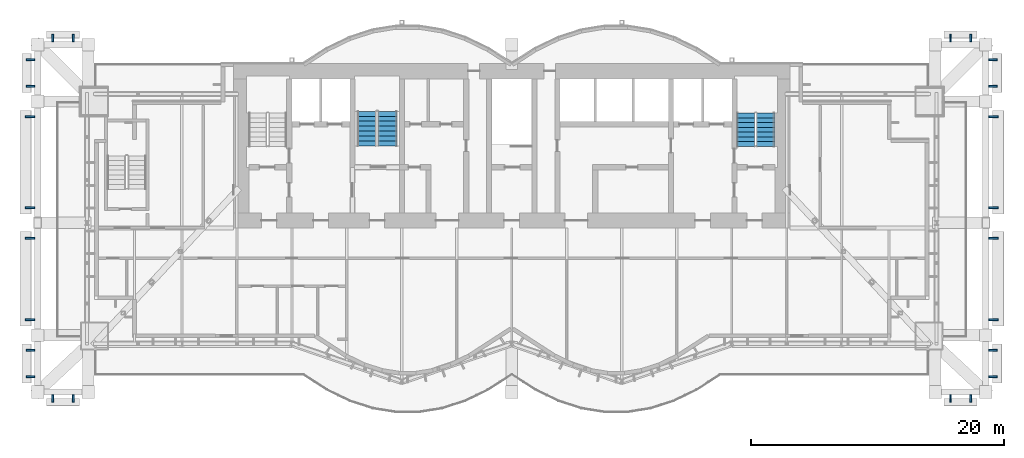
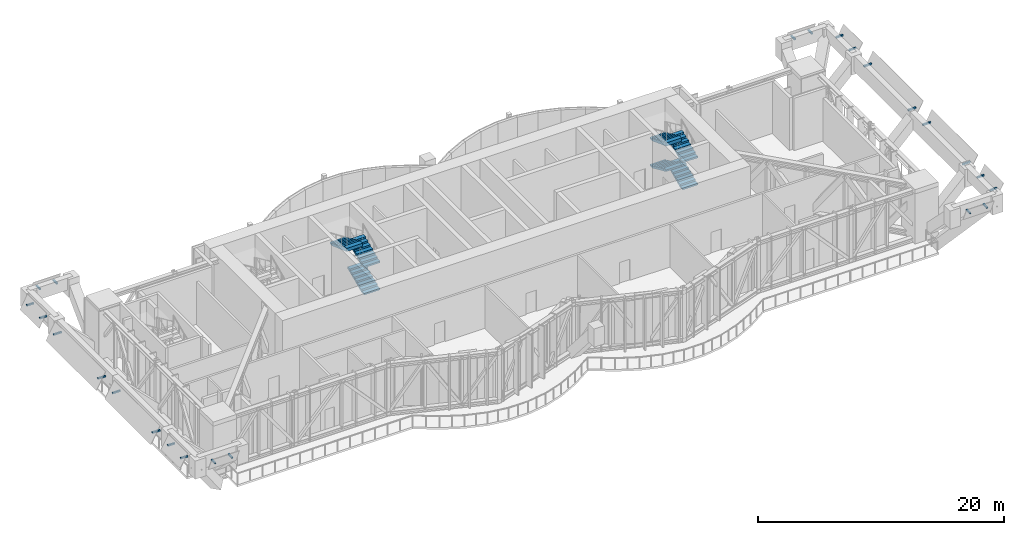
# One storey, part 17 of 20: 24 discrete accessories, 7 stair flights, 2 elements without a shape of their own.
"""IFC4 building model written with IfcOpenShell, lengths in metres."""

from ifc_helpers import new_model, si_unit, direction, frame, origin, origin_2d, place, context, subcontext, project, spatial, polyline, rectangle, outline, extrude, material, type_object, element, aggregate, save


model = new_model("IFC4")

# Units and contexts
model_context = context("Model", 3, precision=1e-05, world=origin(), true_north=direction((0.0, 1.0)))
body_context = subcontext(model_context, "Body", "Model", "MODEL_VIEW")
ifc_project = project(units=[si_unit("LENGTHUNIT", "METRE"), si_unit("AREAUNIT", "SQUARE_METRE"), si_unit("VOLUMEUNIT", "CUBIC_METRE"), si_unit("PLANEANGLEUNIT", "RADIAN"), si_unit("MASSUNIT", "GRAM", prefix="KILO")], contexts=[model_context])

# Site, building, storey
site_placement = place(None, origin())
site = spatial("IfcSite", under=ifc_project, at=site_placement, CompositionType="ELEMENT")
building_placement = place(site_placement, origin())
building = spatial("IfcBuilding", under=site, at=building_placement, Name="Bicima Exchange Tower", CompositionType="ELEMENT")
storey_placement = place(building_placement, frame((0.0, 0.0, 342.5)))
storey = spatial("IfcBuildingStorey", under=building, at=storey_placement, Name="L77", CompositionType="ELEMENT", Elevation=342.5)

# Stair, stair flights
ifc_material_1 = material(Name="Concrete C50/60", Category="concrete")
stair_type_1 = type_object("IfcStairType", Name="Exit stair", PredefinedType="HALF_TURN_STAIR", material=ifc_material_1)
stair_1_placement = place(storey_placement, origin())
stair_1 = element("IfcStair", 1, at=stair_1_placement, inside=storey, type_object=stair_type_1, Name="L77 East exit stair", PredefinedType="HALF_TURN_STAIR")
stair_flight_type_1 = type_object("IfcStairFlightType", Name="Stair flight RC", PredefinedType="STRAIGHT", material=ifc_material_1)
stair_flight_1_placement = place(storey_placement, frame((20.074951171875, -6.550048828125, 0.0), z_axis=(0.0, 0.0, 1.0), x_axis=(0.0, 1.0, 0.0)))
stair_flight_1 = element("IfcStairFlight", 2, at=stair_flight_1_placement, type_object=stair_flight_type_1, Name="ST-E flight 1", NumberOfRisers=8, NumberOfTreads=7, PredefinedType="STRAIGHT", RiserHeight=0.16875, TreadLength=0.375714286, context=body_context, shape_type="SweptSolid", body=[
    extrude(outline(polyline([(0.0, 0.0), (0.0, 0.168701171875), (0.375732421875, 0.168701171875), (0.375732421875, 0.33740234375), (0.75146484375, 0.33740234375), (0.75146484375, 0.50634765625), (1.127197265625, 0.50634765625), (1.127197265625, 0.675048828125), (1.5029296875, 0.675048828125), (1.5029296875, 0.84375), (1.878662109375, 0.84375), (1.878662109375, 1.012451171875), (2.25439453125, 1.012451171875), (2.25439453125, 1.18115234375), (2.6298828125, 1.18115234375), (2.6298828125, 1.35009765625), (2.6298828125, 1.016845703125), (0.365966796875, 0.0), (0.0, 0.0)])), frame((0.0, 0.72509765625, 0.0), z_axis=(0.0, -1.0, 0.0), x_axis=(1.0, 0.0, 0.0)), (0.0, 0.0, 1.0), 1.449951171875),
])
stair_flight_2_placement = place(storey_placement, frame((18.52490234375, -3.919921875, 1.35009765625), z_axis=(0.0, 0.0, 1.0), x_axis=(0.0, -1.0, 0.0)))
stair_flight_2 = element("IfcStairFlight", 3, at=stair_flight_2_placement, type_object=stair_flight_type_1, Name="ST-E flight 2", NumberOfRisers=8, NumberOfTreads=7, PredefinedType="STRAIGHT", RiserHeight=0.16875, TreadLength=0.375714286, context=body_context, shape_type="SweptSolid", body=[
    extrude(outline(polyline([(0.0, 0.0), (0.0, 0.168701171875), (0.375732421875, 0.168701171875), (0.375732421875, 0.33740234375), (0.75146484375, 0.33740234375), (0.75146484375, 0.50634765625), (1.127197265625, 0.50634765625), (1.127197265625, 0.675048828125), (1.5029296875, 0.675048828125), (1.5029296875, 0.84375), (1.878662109375, 0.84375), (1.878662109375, 1.012451171875), (2.25439453125, 1.012451171875), (2.25439453125, 1.18115234375), (2.6298828125, 1.18115234375), (2.6298828125, 1.35009765625), (2.6298828125, 1.016845703125), (0.365966796875, 0.0), (0.0, 0.0)])), frame((0.0, 0.72509765625, 0.0), z_axis=(0.0, -1.0, 0.0), x_axis=(1.0, 0.0, 0.0)), (0.0, 0.0, 1.0), 1.449951171875),
])
stair_flight_3_placement = place(storey_placement, frame((20.074951171875, -6.550048828125, 2.699951171875), z_axis=(0.0, 0.0, 1.0), x_axis=(0.0, 1.0, 0.0)))
stair_flight_3 = element("IfcStairFlight", 4, at=stair_flight_3_placement, type_object=stair_flight_type_1, Name="ST-E flight 3", NumberOfRisers=8, NumberOfTreads=7, PredefinedType="STRAIGHT", RiserHeight=0.16875, TreadLength=0.375714286, context=body_context, shape_type="SweptSolid", body=[
    extrude(outline(polyline([(0.0, 0.0), (0.0, 0.168701171875), (0.375732421875, 0.168701171875), (0.375732421875, 0.33740234375), (0.75146484375, 0.33740234375), (0.75146484375, 0.50634765625), (1.127197265625, 0.50634765625), (1.127197265625, 0.675048828125), (1.5029296875, 0.675048828125), (1.5029296875, 0.84375), (1.878662109375, 0.84375), (1.878662109375, 1.012451171875), (2.25439453125, 1.012451171875), (2.25439453125, 1.18115234375), (2.6298828125, 1.18115234375), (2.6298828125, 1.35009765625), (2.6298828125, 1.016845703125), (0.365966796875, 0.0), (0.0, 0.0)])), frame((0.0, 0.72509765625, 0.0), z_axis=(0.0, -1.0, 0.0), x_axis=(1.0, 0.0, 0.0)), (0.0, 0.0, 1.0), 1.449951171875),
])
stair_flight_4_placement = place(storey_placement, frame((18.52490234375, -3.919921875, 4.050048828125), z_axis=(0.0, 0.0, 1.0), x_axis=(0.0, -1.0, 0.0)))
stair_flight_4 = element("IfcStairFlight", 5, at=stair_flight_4_placement, type_object=stair_flight_type_1, Name="ST-E flight 4", NumberOfRisers=8, NumberOfTreads=7, PredefinedType="STRAIGHT", RiserHeight=0.16875, TreadLength=0.375714286, context=body_context, shape_type="SweptSolid", body=[
    extrude(outline(polyline([(0.0, 0.0), (0.0, 0.168701171875), (0.375732421875, 0.168701171875), (0.375732421875, 0.33740234375), (0.75146484375, 0.33740234375), (0.75146484375, 0.50634765625), (1.127197265625, 0.50634765625), (1.127197265625, 0.675048828125), (1.5029296875, 0.675048828125), (1.5029296875, 0.84375), (1.878662109375, 0.84375), (1.878662109375, 1.012451171875), (2.25439453125, 1.012451171875), (2.25439453125, 1.18115234375), (2.6298828125, 1.18115234375), (2.64501953125, 1.18115234375), (2.64501953125, 0.85498046875), (0.365966796875, 0.0), (0.0, 0.0)])), frame((0.0, 0.72509765625, 0.0), z_axis=(0.0, -1.0, 0.0), x_axis=(1.0, 0.0, 0.0)), (0.0, 0.0, 1.0), 1.449951171875),
])
aggregate(stair_1, [stair_flight_1, stair_flight_2, stair_flight_3, stair_flight_4])

stair_type_2 = type_object("IfcStairType", Name="Exit stair 1500", PredefinedType="HALF_TURN_STAIR", material=ifc_material_1)
stair_2_placement = place(storey_placement, origin())
stair_2 = element("IfcStair", 6, at=stair_2_placement, inside=storey, type_object=stair_type_2, Name="L77 Crown exit stair", PredefinedType="HALF_TURN_STAIR")
stair_flight_type_2 = type_object("IfcStairFlightType", Name="Stair flight RC 1500", PredefinedType="STRAIGHT", material=ifc_material_1)
stair_flight_5_placement = place(storey_placement, frame((-9.824951171875, -6.5, 0.0), z_axis=(0.0, 0.0, 1.0), x_axis=(0.0, 1.0, 0.0)))
stair_flight_5 = element("IfcStairFlight", 7, at=stair_flight_5_placement, type_object=stair_flight_type_2, Name="ST-CR flight 1", NumberOfRisers=8, NumberOfTreads=7, PredefinedType="STRAIGHT", RiserHeight=0.16875, TreadLength=0.388571429, context=body_context, shape_type="SweptSolid", body=[
    extrude(outline(polyline([(0.0, 0.0), (0.0, 0.168701171875), (0.388671875, 0.168701171875), (0.388671875, 0.33740234375), (0.777099609375, 0.33740234375), (0.777099609375, 0.50634765625), (1.165771484375, 0.50634765625), (1.165771484375, 0.675048828125), (1.55419921875, 0.675048828125), (1.55419921875, 0.84375), (1.94287109375, 0.84375), (1.94287109375, 1.012451171875), (2.33154296875, 1.012451171875), (2.33154296875, 1.18115234375), (2.719970703125, 1.18115234375), (2.719970703125, 1.35009765625), (2.719970703125, 1.017822265625), (0.376220703125, 0.0), (0.0, 0.0)])), frame((0.0, 0.75, 0.0), z_axis=(0.0, -1.0, 0.0), x_axis=(1.0, 0.0, 0.0)), (0.0, 0.0, 1.0), 1.5),
])
stair_flight_6_placement = place(storey_placement, frame((-9.824951171875, -6.5, 2.699951171875), z_axis=(0.0, 0.0, 1.0), x_axis=(0.0, 1.0, 0.0)))
stair_flight_6 = element("IfcStairFlight", 8, at=stair_flight_6_placement, type_object=stair_flight_type_2, Name="ST-CR flight 3", NumberOfRisers=8, NumberOfTreads=7, PredefinedType="STRAIGHT", RiserHeight=0.16875, TreadLength=0.388571429, context=body_context, shape_type="SweptSolid", body=[
    extrude(outline(polyline([(0.0, 0.0), (0.0, 0.168701171875), (0.388671875, 0.168701171875), (0.388671875, 0.33740234375), (0.777099609375, 0.33740234375), (0.777099609375, 0.50634765625), (1.165771484375, 0.50634765625), (1.165771484375, 0.675048828125), (1.55419921875, 0.675048828125), (1.55419921875, 0.84375), (1.94287109375, 0.84375), (1.94287109375, 1.012451171875), (2.33154296875, 1.012451171875), (2.33154296875, 1.18115234375), (2.719970703125, 1.18115234375), (2.719970703125, 1.35009765625), (2.719970703125, 1.017822265625), (0.376220703125, 0.0), (0.0, 0.0)])), frame((0.0, 0.75, 0.0), z_axis=(0.0, -1.0, 0.0), x_axis=(1.0, 0.0, 0.0)), (0.0, 0.0, 1.0), 1.5),
])
stair_flight_7_placement = place(storey_placement, frame((-11.47509765625, -3.780029296875, 4.050048828125), z_axis=(0.0, 0.0, 1.0), x_axis=(0.0, -1.0, 0.0)))
stair_flight_7 = element("IfcStairFlight", 9, at=stair_flight_7_placement, type_object=stair_flight_type_2, Name="ST-CR flight 4", NumberOfRisers=8, NumberOfTreads=7, PredefinedType="STRAIGHT", RiserHeight=0.16875, TreadLength=0.388571429, context=body_context, shape_type="SweptSolid", body=[
    extrude(outline(polyline([(0.0, 0.0), (0.0, 0.168701171875), (0.388671875, 0.168701171875), (0.388671875, 0.33740234375), (0.777099609375, 0.33740234375), (0.777099609375, 0.50634765625), (1.165771484375, 0.50634765625), (1.165771484375, 0.675048828125), (1.55419921875, 0.675048828125), (1.55419921875, 0.84375), (1.94287109375, 0.84375), (1.94287109375, 1.012451171875), (2.33154296875, 1.012451171875), (2.33154296875, 1.18115234375), (2.719970703125, 1.18115234375), (2.735107421875, 1.18115234375), (2.735107421875, 0.85546875), (0.376220703125, 0.0), (0.0, 0.0)])), frame((0.0, 0.75, 0.0), z_axis=(0.0, -1.0, 0.0), x_axis=(1.0, 0.0, 0.0)), (0.0, 0.0, 1.0), 1.5),
])
aggregate(stair_2, [stair_flight_5, stair_flight_6, stair_flight_7])

# Discrete accessories
ifc_material_2 = material(Name="Steel ASTM A572 Gr 50", Category="steel")
discrete_accessory_type = type_object("IfcDiscreteAccessoryType", Name="Belt fascia bracket", PredefinedType="BRACKET", material=ifc_material_2)
for number, where, z_axis, x_axis, name in (
    (10, (-36.300048828125, -26.50146484375, 4.525146484375), (0.0, 0.0, 1.0), (1.0, 0.0, 0.0), "Belt fascia bracket"),
    (11, (-34.699951171875, -26.50146484375, 4.525146484375), (0.0, 0.0, 1.0), (1.0, 0.0, 0.0), "Belt fascia bracket"),
    (12, (34.699951171875, -26.50146484375, 4.525146484375), (0.0, 0.0, 1.0), (1.0, 0.0, 0.0), "Belt fascia bracket"),
    (13, (36.300048828125, -26.50146484375, 4.525146484375), (0.0, 0.0, 1.0), (1.0, 0.0, 0.0), "Belt fascia bracket"),
):
    element("IfcDiscreteAccessory", number, at=place(storey_placement, frame(where, z_axis=z_axis, x_axis=x_axis)), inside=storey, type_object=discrete_accessory_type, Name=name, PredefinedType="BRACKET", context=body_context, shape_type="SweptSolid", body=[
        extrude(rectangle(XDim=0.14990234375, YDim=0.59326171875, at=origin_2d()), origin(), (0.0, 0.0, 1.0), 0.14990234375),
    ])
for number, where, z_axis, x_axis, name in (
    (14, (38.065673828125, -24.77490234375, 4.525146484375), (0.0, 0.0, 1.0), (0.0, 1.0, 0.0), "Belt fascia bracket"),
    (15, (38.065673828125, -22.6748046875, 4.525146484375), (0.0, 0.0, 1.0), (0.0, 1.0, 0.0), "Belt fascia bracket"),
):
    element("IfcDiscreteAccessory", number, at=place(storey_placement, frame(where, z_axis=z_axis, x_axis=x_axis)), inside=storey, type_object=discrete_accessory_type, Name=name, PredefinedType="BRACKET", context=body_context, shape_type="SweptSolid", body=[
        extrude(rectangle(XDim=0.14990234375, YDim=0.671142578125, at=origin_2d()), origin(), (0.0, 0.0, 1.0), 0.14990234375),
    ])
for number, where, z_axis, x_axis, name in (
    (16, (38.106689453125, -20.27490234375, 4.375), (0.0, 0.0, 1.0), (0.0, 1.0, 0.0), "Belt fascia bracket"),
    (17, (38.106689453125, -13.800048828125, 4.375), (0.0, 0.0, 1.0), (0.0, 1.0, 0.0), "Belt fascia bracket"),
    (18, (38.106689453125, -11.39990234375, 4.375), (0.0, 0.0, 1.0), (0.0, 1.0, 0.0), "Belt fascia bracket"),
    (19, (38.106689453125, -4.199951171875, 4.375), (0.0, 0.0, 1.0), (0.0, 1.0, 0.0), "Belt fascia bracket"),
):
    element("IfcDiscreteAccessory", number, at=place(storey_placement, frame(where, z_axis=z_axis, x_axis=x_axis)), inside=storey, type_object=discrete_accessory_type, Name=name, PredefinedType="BRACKET", context=body_context, shape_type="SweptSolid", body=[
        extrude(rectangle(XDim=0.14990234375, YDim=0.75341796875, at=origin_2d()), origin(), (0.0, 0.0, 1.0), 0.14990234375),
    ])
for number, where, z_axis, x_axis, name in (
    (20, (38.065673828125, -1.800048828125, 4.525146484375), (0.0, 0.0, 1.0), (0.0, 1.0, 0.0), "Belt fascia bracket"),
    (21, (38.065673828125, 0.300048828125, 4.525146484375), (0.0, 0.0, 1.0), (0.0, 1.0, 0.0), "Belt fascia bracket"),
):
    element("IfcDiscreteAccessory", number, at=place(storey_placement, frame(where, z_axis=z_axis, x_axis=x_axis)), inside=storey, type_object=discrete_accessory_type, Name=name, PredefinedType="BRACKET", context=body_context, shape_type="SweptSolid", body=[
        extrude(rectangle(XDim=0.14990234375, YDim=0.671142578125, at=origin_2d()), origin(), (0.0, 0.0, 1.0), 0.14990234375),
    ])
for number, where, z_axis, x_axis, name in (
    (22, (36.300048828125, 2.026611328125, 4.525146484375), (0.0, 0.0, 1.0), (-1.0, 0.0, 0.0), "Belt fascia bracket"),
    (23, (34.699951171875, 2.026611328125, 4.525146484375), (0.0, 0.0, 1.0), (-1.0, 0.0, 0.0), "Belt fascia bracket"),
    (24, (-34.699951171875, 2.026611328125, 4.525146484375), (0.0, 0.0, 1.0), (-1.0, 0.0, 0.0), "Belt fascia bracket"),
    (25, (-36.300048828125, 2.026611328125, 4.525146484375), (0.0, 0.0, 1.0), (-1.0, 0.0, 0.0), "Belt fascia bracket"),
):
    element("IfcDiscreteAccessory", number, at=place(storey_placement, frame(where, z_axis=z_axis, x_axis=x_axis)), inside=storey, type_object=discrete_accessory_type, Name=name, PredefinedType="BRACKET", context=body_context, shape_type="SweptSolid", body=[
        extrude(rectangle(XDim=0.14990234375, YDim=0.59326171875, at=origin_2d()), origin(), (0.0, 0.0, 1.0), 0.14990234375),
    ])
for number, where, z_axis, x_axis, name in (
    (26, (-38.065673828125, 0.300048828125, 4.525146484375), (0.0, 0.0, 1.0), (0.0, -1.0, 0.0), "Belt fascia bracket"),
    (27, (-38.065673828125, -1.800048828125, 4.525146484375), (0.0, 0.0, 1.0), (0.0, -1.0, 0.0), "Belt fascia bracket"),
):
    element("IfcDiscreteAccessory", number, at=place(storey_placement, frame(where, z_axis=z_axis, x_axis=x_axis)), inside=storey, type_object=discrete_accessory_type, Name=name, PredefinedType="BRACKET", context=body_context, shape_type="SweptSolid", body=[
        extrude(rectangle(XDim=0.14990234375, YDim=0.671142578125, at=origin_2d()), origin(), (0.0, 0.0, 1.0), 0.14990234375),
    ])
for number, where, z_axis, x_axis, name in (
    (28, (-38.106689453125, -4.199951171875, 4.375), (0.0, 0.0, 1.0), (0.0, -1.0, 0.0), "Belt fascia bracket"),
    (29, (-38.106689453125, -11.39990234375, 4.375), (0.0, 0.0, 1.0), (0.0, -1.0, 0.0), "Belt fascia bracket"),
    (30, (-38.106689453125, -13.800048828125, 4.375), (0.0, 0.0, 1.0), (0.0, -1.0, 0.0), "Belt fascia bracket"),
    (31, (-38.106689453125, -20.27490234375, 4.375), (0.0, 0.0, 1.0), (0.0, -1.0, 0.0), "Belt fascia bracket"),
):
    element("IfcDiscreteAccessory", number, at=place(storey_placement, frame(where, z_axis=z_axis, x_axis=x_axis)), inside=storey, type_object=discrete_accessory_type, Name=name, PredefinedType="BRACKET", context=body_context, shape_type="SweptSolid", body=[
        extrude(rectangle(XDim=0.14990234375, YDim=0.75341796875, at=origin_2d()), origin(), (0.0, 0.0, 1.0), 0.14990234375),
    ])
for number, where, z_axis, x_axis, name in (
    (32, (-38.065673828125, -22.6748046875, 4.525146484375), (0.0, 0.0, 1.0), (0.0, -1.0, 0.0), "Belt fascia bracket"),
    (33, (-38.065673828125, -24.77490234375, 4.525146484375), (0.0, 0.0, 1.0), (0.0, -1.0, 0.0), "Belt fascia bracket"),
):
    element("IfcDiscreteAccessory", number, at=place(storey_placement, frame(where, z_axis=z_axis, x_axis=x_axis)), inside=storey, type_object=discrete_accessory_type, Name=name, PredefinedType="BRACKET", context=body_context, shape_type="SweptSolid", body=[
        extrude(rectangle(XDim=0.14990234375, YDim=0.671142578125, at=origin_2d()), origin(), (0.0, 0.0, 1.0), 0.14990234375),
    ])

save(model, "model.ifc")
